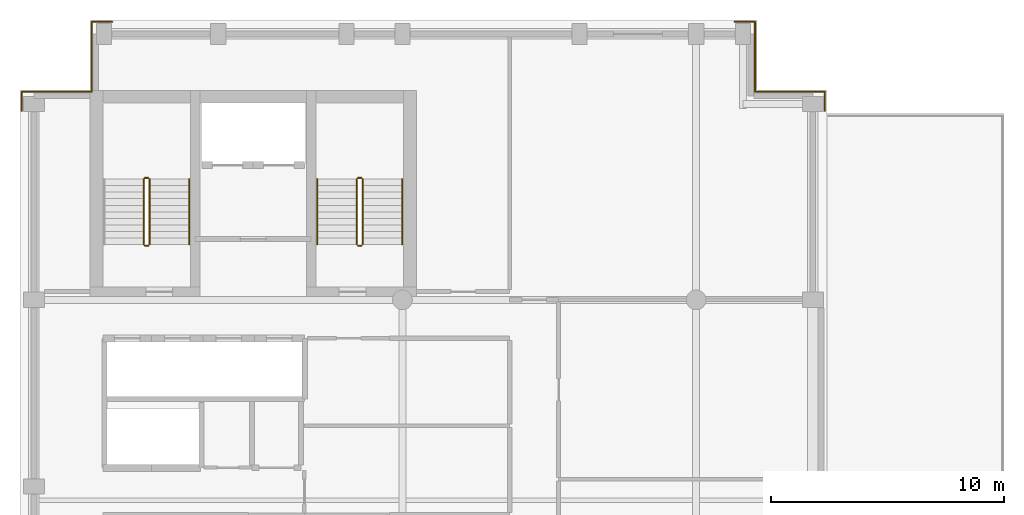
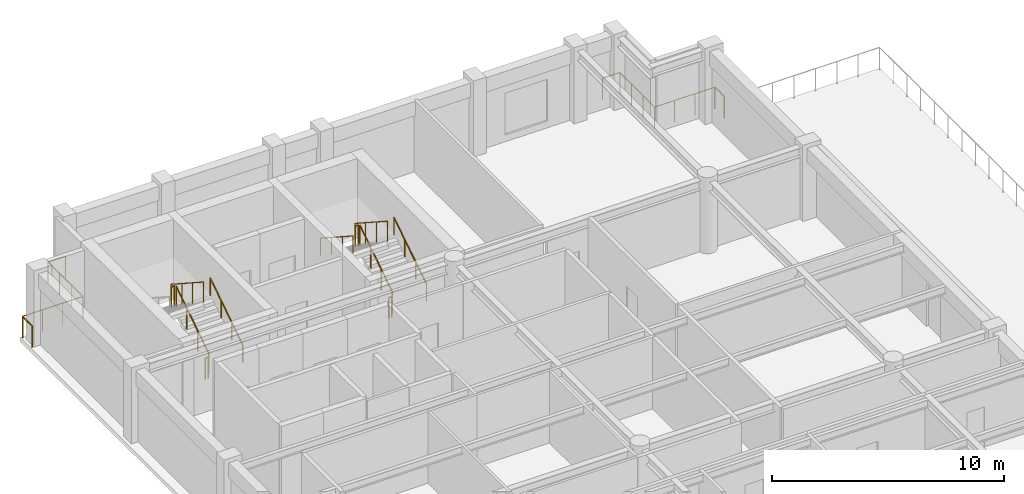
# One storey, part 8 of 9: 19 railings.
"""IFC4 building model written with IfcOpenShell, lengths in metres."""

from ifc_helpers import new_model, si_unit, direction, frame, origin, origin_2d, place, context, subcontext, project, spatial, circle, extrude, material, type_object, element, save


model = new_model("IFC4")

# Units and contexts
model_context = context("Model", 3, precision=1e-05, world=origin(), true_north=direction((0.0, 1.0)))
body_context = subcontext(model_context, "Body", "Model", "MODEL_VIEW")
ifc_project = project(units=[si_unit("LENGTHUNIT", "METRE"), si_unit("AREAUNIT", "SQUARE_METRE"), si_unit("VOLUMEUNIT", "CUBIC_METRE"), si_unit("PLANEANGLEUNIT", "RADIAN"), si_unit("MASSUNIT", "GRAM", prefix="KILO")], contexts=[model_context])

# Site, building, storey
site_placement = place(None, origin())
site = spatial("IfcSite", under=ifc_project, at=site_placement, CompositionType="ELEMENT")
building_placement = place(site_placement, origin())
building = spatial("IfcBuilding", under=site, at=building_placement, Name="Sulina Concourse Tower", CompositionType="ELEMENT")
storey_placement = place(building_placement, frame((0.0, 0.0, 305.0)))
storey = spatial("IfcBuildingStorey", under=building, at=storey_placement, Name="L74", CompositionType="ELEMENT", Elevation=305.0)

# Railings
ifc_material_1 = material(Name="Galvanised steel railing", Category="steel")
railing_type_1 = type_object("IfcRailingType", Name="Core Stair Steel Guardrail 1150mm", PredefinedType="GUARDRAIL", material=ifc_material_1)
railing_1_placement = place(storey_placement, frame((0.080078125, 42.10009765625, 0.0)))
element("IfcRailing", 1, at=railing_1_placement, inside=storey, type_object=railing_type_1, Name="L74 perimeter edge safety guardrail NW1", PredefinedType="GUARDRAIL", context=body_context, shape_type="SweptSolid", body=[
    extrude(circle(Radius=0.02392578125, at=origin_2d()), frame((0.0, 0.0, 1.1259765625), z_axis=(0.0, 1.0, 0.0), x_axis=(-1.0, 0.0, 0.0)), (0.0, 0.0, 1.0), 0.81982421875),
    extrude(circle(Radius=0.02099609375, at=origin_2d()), origin(), (0.0, 0.0, 1.0), 1.101806640625),
    extrude(circle(Radius=0.02099609375, at=origin_2d()), frame((0.0, 0.81982421875, 0.0)), (0.0, 0.0, 1.0), 1.101806640625),
])
railing_2_placement = place(storey_placement, frame((0.080078125, 42.919921875, 0.0)))
element("IfcRailing", 2, at=railing_2_placement, inside=storey, type_object=railing_type_1, Name="L74 perimeter edge safety guardrail NW2", PredefinedType="GUARDRAIL", context=body_context, shape_type="SweptSolid", body=[
    extrude(circle(Radius=0.02392578125, at=origin_2d()), frame((0.0, 0.0, 1.1259765625), z_axis=(1.0, 0.0, 0.0), x_axis=(0.0, 1.0, 0.0)), (0.0, 0.0, 1.0), 3.0),
    extrude(circle(Radius=0.02099609375, at=origin_2d()), origin(), (0.0, 0.0, 1.0), 1.101806640625),
    extrude(circle(Radius=0.02099609375, at=origin_2d()), frame((1.0, 0.0, 0.0)), (0.0, 0.0, 1.0), 1.101806640625),
    extrude(circle(Radius=0.02099609375, at=origin_2d()), frame((2.0, 0.0, 0.0)), (0.0, 0.0, 1.0), 1.101806640625),
    extrude(circle(Radius=0.02099609375, at=origin_2d()), frame((3.0, 0.0, 0.0)), (0.0, 0.0, 1.0), 1.101806640625),
])
railing_3_placement = place(storey_placement, frame((3.080078125, 42.919921875, 0.0)))
element("IfcRailing", 3, at=railing_3_placement, inside=storey, type_object=railing_type_1, Name="L74 perimeter edge safety guardrail NW3", PredefinedType="GUARDRAIL", context=body_context, shape_type="SweptSolid", body=[
    extrude(circle(Radius=0.02392578125, at=origin_2d()), frame((0.0, 0.0, 1.1259765625), z_axis=(0.0, 1.0, 0.0), x_axis=(-1.0, 0.0, 0.0)), (0.0, 0.0, 1.0), 3.0),
    extrude(circle(Radius=0.02099609375, at=origin_2d()), origin(), (0.0, 0.0, 1.0), 1.101806640625),
    extrude(circle(Radius=0.02099609375, at=origin_2d()), frame((0.0, 1.0, 0.0)), (0.0, 0.0, 1.0), 1.101806640625),
    extrude(circle(Radius=0.02099609375, at=origin_2d()), frame((0.0, 2.0, 0.0)), (0.0, 0.0, 1.0), 1.101806640625),
    extrude(circle(Radius=0.02099609375, at=origin_2d()), frame((0.0, 3.0, 0.0)), (0.0, 0.0, 1.0), 1.101806640625),
])
railing_4_placement = place(storey_placement, frame((3.080078125, 45.919921875, 0.0)))
element("IfcRailing", 4, at=railing_4_placement, inside=storey, type_object=railing_type_1, Name="L74 perimeter edge safety guardrail NW4", PredefinedType="GUARDRAIL", context=body_context, shape_type="SweptSolid", body=[
    extrude(circle(Radius=0.02392578125, at=origin_2d()), frame((0.0, 0.0, 1.1259765625), z_axis=(1.0, 0.0, 0.0), x_axis=(0.0, 1.0, 0.0)), (0.0, 0.0, 1.0), 0.869873046875),
    extrude(circle(Radius=0.02099609375, at=origin_2d()), origin(), (0.0, 0.0, 1.0), 1.101806640625),
    extrude(circle(Radius=0.02099609375, at=origin_2d()), frame((0.869873046875, 0.0, 0.0)), (0.0, 0.0, 1.0), 1.101806640625),
])
railing_5_placement = place(storey_placement, frame((30.64990234375, 45.919921875, 0.0)))
element("IfcRailing", 5, at=railing_5_placement, inside=storey, type_object=railing_type_1, Name="L74 perimeter edge safety guardrail NE1", PredefinedType="GUARDRAIL", context=body_context, shape_type="SweptSolid", body=[
    extrude(circle(Radius=0.02392578125, at=origin_2d()), frame((0.0, 0.0, 1.1259765625), z_axis=(1.0, 0.0, 0.0), x_axis=(0.0, 1.0, 0.0)), (0.0, 0.0, 1.0), 0.8701171875),
    extrude(circle(Radius=0.02099609375, at=origin_2d()), origin(), (0.0, 0.0, 1.0), 1.101806640625),
    extrude(circle(Radius=0.02099609375, at=origin_2d()), frame((0.8701171875, 0.0, 0.0)), (0.0, 0.0, 1.0), 1.101806640625),
])
railing_6_placement = place(storey_placement, frame((31.52001953125, 45.919921875, 0.0)))
element("IfcRailing", 6, at=railing_6_placement, inside=storey, type_object=railing_type_1, Name="L74 perimeter edge safety guardrail NE2", PredefinedType="GUARDRAIL", context=body_context, shape_type="SweptSolid", body=[
    extrude(circle(Radius=0.02392578125, at=origin_2d()), frame((0.0, 0.0, 1.1259765625), z_axis=(0.0, -1.0, 0.0), x_axis=(1.0, 0.0, 0.0)), (0.0, 0.0, 1.0), 3.0),
    extrude(circle(Radius=0.02099609375, at=origin_2d()), origin(), (0.0, 0.0, 1.0), 1.101806640625),
    extrude(circle(Radius=0.02099609375, at=origin_2d()), frame((0.0, -1.0, 0.0)), (0.0, 0.0, 1.0), 1.101806640625),
    extrude(circle(Radius=0.02099609375, at=origin_2d()), frame((0.0, -2.0, 0.0)), (0.0, 0.0, 1.0), 1.101806640625),
    extrude(circle(Radius=0.02099609375, at=origin_2d()), frame((0.0, -3.0, 0.0)), (0.0, 0.0, 1.0), 1.101806640625),
])
railing_7_placement = place(storey_placement, frame((31.52001953125, 42.919921875, 0.0)))
element("IfcRailing", 7, at=railing_7_placement, inside=storey, type_object=railing_type_1, Name="L74 perimeter edge safety guardrail NE3", PredefinedType="GUARDRAIL", context=body_context, shape_type="SweptSolid", body=[
    extrude(circle(Radius=0.02392578125, at=origin_2d()), frame((0.0, 0.0, 1.1259765625), z_axis=(1.0, 0.0, 0.0), x_axis=(0.0, 1.0, 0.0)), (0.0, 0.0, 1.0), 3.0),
    extrude(circle(Radius=0.02099609375, at=origin_2d()), origin(), (0.0, 0.0, 1.0), 1.101806640625),
    extrude(circle(Radius=0.02099609375, at=origin_2d()), frame((1.0, 0.0, 0.0)), (0.0, 0.0, 1.0), 1.101806640625),
    extrude(circle(Radius=0.02099609375, at=origin_2d()), frame((2.0, 0.0, 0.0)), (0.0, 0.0, 1.0), 1.101806640625),
    extrude(circle(Radius=0.02099609375, at=origin_2d()), frame((3.0, 0.0, 0.0)), (0.0, 0.0, 1.0), 1.101806640625),
])
railing_8_placement = place(storey_placement, frame((34.52001953125, 42.919921875, 0.0)))
element("IfcRailing", 8, at=railing_8_placement, inside=storey, type_object=railing_type_1, Name="L74 perimeter edge safety guardrail NE4", PredefinedType="GUARDRAIL", context=body_context, shape_type="SweptSolid", body=[
    extrude(circle(Radius=0.02392578125, at=origin_2d()), frame((0.0, 0.0, 1.1259765625), z_axis=(0.0, -1.0, 0.0), x_axis=(1.0, 0.0, 0.0)), (0.0, 0.0, 1.0), 0.81982421875),
    extrude(circle(Radius=0.02099609375, at=origin_2d()), origin(), (0.0, 0.0, 1.0), 1.101806640625),
    extrude(circle(Radius=0.02099609375, at=origin_2d()), frame((0.0, -0.81982421875, 0.0)), (0.0, 0.0, 1.0), 1.101806640625),
])
railing_9_placement = place(storey_placement, frame((5.554931640625, 36.375, 0.181884765625)))
element("IfcRailing", 9, at=railing_9_placement, inside=storey, type_object=railing_type_1, Name="L74 ST-1 stair guard 1", PredefinedType="GUARDRAIL", context=body_context, shape_type="SweptSolid", body=[
    extrude(circle(Radius=0.02392578125, at=origin_2d()), frame((0.0, 0.0, 1.076171875), z_axis=(0.0, 0.838705829183, 0.544584733623), x_axis=(-1.0, 0.0, 0.0)), (0.0, 0.0, 1.0), 3.338623046875),
    extrude(circle(Radius=0.02099609375, at=origin_2d()), origin(), (0.0, 0.0, 1.0), 1.052001953125),
    extrude(circle(Radius=0.02099609375, at=origin_2d()), frame((0.0, 0.933349609375, 0.60595703125)), (0.0, 0.0, 1.0), 1.052001953125),
    extrude(circle(Radius=0.02099609375, at=origin_2d()), frame((0.0, 1.86669921875, 1.212158203125)), (0.0, 0.0, 1.0), 1.052001953125),
    extrude(circle(Radius=0.02099609375, at=origin_2d()), frame((0.0, 2.800048828125, 1.818115234375)), (0.0, 0.0, 1.0), 1.052001953125),
])
railing_10_placement = place(storey_placement, frame((5.5048828125, 39.22509765625, 2.0)))
element("IfcRailing", 10, at=railing_10_placement, inside=storey, type_object=railing_type_1, Name="L74 ST-1 stair guard 2", PredefinedType="GUARDRAIL", context=body_context, shape_type="SweptSolid", body=[
    extrude(circle(Radius=0.02392578125, at=origin_2d()), frame((0.0, 0.0, 1.076171875), z_axis=(-1.0, 0.0, 0.0), x_axis=(0.0, -1.0, 0.0)), (0.0, 0.0, 1.0), 0.14990234375),
    extrude(circle(Radius=0.02099609375, at=origin_2d()), origin(), (0.0, 0.0, 1.0), 1.052001953125),
    extrude(circle(Radius=0.02099609375, at=origin_2d()), frame((-0.14990234375, 0.0, 0.0)), (0.0, 0.0, 1.0), 1.052001953125),
])
railing_11_placement = place(storey_placement, frame((5.304931640625, 39.175048828125, 2.181884765625)))
element("IfcRailing", 11, at=railing_11_placement, inside=storey, type_object=railing_type_1, Name="L74 ST-1 stair guard 3", PredefinedType="GUARDRAIL", context=body_context, shape_type="SweptSolid", body=[
    extrude(circle(Radius=0.02392578125, at=origin_2d()), frame((0.0, 0.0, 1.076171875), z_axis=(0.0, -0.838705829183, 0.544584733623), x_axis=(1.0, 0.0, 0.0)), (0.0, 0.0, 1.0), 3.338623046875),
    extrude(circle(Radius=0.02099609375, at=origin_2d()), origin(), (0.0, 0.0, 1.0), 1.052001953125),
    extrude(circle(Radius=0.02099609375, at=origin_2d()), frame((0.0, -0.933349609375, 0.60595703125)), (0.0, 0.0, 1.0), 1.052001953125),
    extrude(circle(Radius=0.02099609375, at=origin_2d()), frame((0.0, -1.86669921875, 1.212158203125)), (0.0, 0.0, 1.0), 1.052001953125),
    extrude(circle(Radius=0.02099609375, at=origin_2d()), frame((0.0, -2.800048828125, 1.818115234375)), (0.0, 0.0, 1.0), 1.052001953125),
])
railing_12_placement = place(storey_placement, frame((5.5048828125, 36.324951171875, 0.0)))
element("IfcRailing", 12, at=railing_12_placement, inside=storey, type_object=railing_type_1, Name="L74 ST-1 stair guard 4", PredefinedType="GUARDRAIL", context=body_context, shape_type="SweptSolid", body=[
    extrude(circle(Radius=0.02392578125, at=origin_2d()), frame((0.0, 0.0, 1.076171875), z_axis=(-1.0, 0.0, 0.0), x_axis=(0.0, -1.0, 0.0)), (0.0, 0.0, 1.0), 0.14990234375),
    extrude(circle(Radius=0.02099609375, at=origin_2d()), origin(), (0.0, 0.0, 1.0), 1.052001953125),
    extrude(circle(Radius=0.02099609375, at=origin_2d()), frame((-0.14990234375, 0.0, 0.0)), (0.0, 0.0, 1.0), 1.052001953125),
])
railing_13_placement = place(storey_placement, frame((14.695068359375, 36.375, 0.181884765625)))
element("IfcRailing", 13, at=railing_13_placement, inside=storey, type_object=railing_type_1, Name="L74 ST-2 stair guard 1", PredefinedType="GUARDRAIL", context=body_context, shape_type="SweptSolid", body=[
    extrude(circle(Radius=0.02392578125, at=origin_2d()), frame((0.0, 0.0, 1.076171875), z_axis=(0.0, 0.838705829183, 0.544584733623), x_axis=(-1.0, 0.0, 0.0)), (0.0, 0.0, 1.0), 3.338623046875),
    extrude(circle(Radius=0.02099609375, at=origin_2d()), origin(), (0.0, 0.0, 1.0), 1.052001953125),
    extrude(circle(Radius=0.02099609375, at=origin_2d()), frame((0.0, 0.933349609375, 0.60595703125)), (0.0, 0.0, 1.0), 1.052001953125),
    extrude(circle(Radius=0.02099609375, at=origin_2d()), frame((0.0, 1.86669921875, 1.212158203125)), (0.0, 0.0, 1.0), 1.052001953125),
    extrude(circle(Radius=0.02099609375, at=origin_2d()), frame((0.0, 2.800048828125, 1.818115234375)), (0.0, 0.0, 1.0), 1.052001953125),
])
railing_14_placement = place(storey_placement, frame((14.64501953125, 39.22509765625, 2.0)))
element("IfcRailing", 14, at=railing_14_placement, inside=storey, type_object=railing_type_1, Name="L74 ST-2 stair guard 2", PredefinedType="GUARDRAIL", context=body_context, shape_type="SweptSolid", body=[
    extrude(circle(Radius=0.02392578125, at=origin_2d()), frame((0.0, 0.0, 1.076171875), z_axis=(-1.0, 0.0, 0.0), x_axis=(0.0, -1.0, 0.0)), (0.0, 0.0, 1.0), 0.14990234375),
    extrude(circle(Radius=0.02099609375, at=origin_2d()), origin(), (0.0, 0.0, 1.0), 1.052001953125),
    extrude(circle(Radius=0.02099609375, at=origin_2d()), frame((-0.14990234375, 0.0, 0.0)), (0.0, 0.0, 1.0), 1.052001953125),
])
railing_15_placement = place(storey_placement, frame((14.445068359375, 39.175048828125, 2.181884765625)))
element("IfcRailing", 15, at=railing_15_placement, inside=storey, type_object=railing_type_1, Name="L74 ST-2 stair guard 3", PredefinedType="GUARDRAIL", context=body_context, shape_type="SweptSolid", body=[
    extrude(circle(Radius=0.02392578125, at=origin_2d()), frame((0.0, 0.0, 1.076171875), z_axis=(0.0, -0.838705829183, 0.544584733623), x_axis=(1.0, 0.0, 0.0)), (0.0, 0.0, 1.0), 3.338623046875),
    extrude(circle(Radius=0.02099609375, at=origin_2d()), origin(), (0.0, 0.0, 1.0), 1.052001953125),
    extrude(circle(Radius=0.02099609375, at=origin_2d()), frame((0.0, -0.933349609375, 0.60595703125)), (0.0, 0.0, 1.0), 1.052001953125),
    extrude(circle(Radius=0.02099609375, at=origin_2d()), frame((0.0, -1.86669921875, 1.212158203125)), (0.0, 0.0, 1.0), 1.052001953125),
    extrude(circle(Radius=0.02099609375, at=origin_2d()), frame((0.0, -2.800048828125, 1.818115234375)), (0.0, 0.0, 1.0), 1.052001953125),
])
railing_16_placement = place(storey_placement, frame((14.64501953125, 36.324951171875, 0.0)))
element("IfcRailing", 16, at=railing_16_placement, inside=storey, type_object=railing_type_1, Name="L74 ST-2 stair guard 4", PredefinedType="GUARDRAIL", context=body_context, shape_type="SweptSolid", body=[
    extrude(circle(Radius=0.02392578125, at=origin_2d()), frame((0.0, 0.0, 1.076171875), z_axis=(-1.0, 0.0, 0.0), x_axis=(0.0, -1.0, 0.0)), (0.0, 0.0, 1.0), 0.14990234375),
    extrude(circle(Radius=0.02099609375, at=origin_2d()), origin(), (0.0, 0.0, 1.0), 1.052001953125),
    extrude(circle(Radius=0.02099609375, at=origin_2d()), frame((-0.14990234375, 0.0, 0.0)), (0.0, 0.0, 1.0), 1.052001953125),
])
ifc_material_2 = material(Name="Galvanised steel railing", Category="steel")
railing_type_2 = type_object("IfcRailingType", Name="Stair Wall Steel Handrail 920mm", PredefinedType="HANDRAIL", material=ifc_material_2)
for number, where, name in (
    (17, (7.2548828125, 36.375, 0.181884765625), "L74 ST-1 stair handrail 1"),
    (18, (16.39501953125, 36.375, 0.181884765625), "L74 ST-2 stair handrail 1"),
):
    element("IfcRailing", number, at=place(storey_placement, frame(where)), inside=storey, type_object=railing_type_2, Name=name, PredefinedType="HANDRAIL", context=body_context, shape_type="SweptSolid", body=[
        extrude(circle(Radius=0.02392578125, at=origin_2d()), frame((0.0, 0.0, 0.89599609375), z_axis=(0.0, 0.838705829183, 0.544584733623), x_axis=(-1.0, 0.0, 0.0)), (0.0, 0.0, 1.0), 3.338623046875),
        extrude(circle(Radius=0.02099609375, at=origin_2d()), origin(), (0.0, 0.0, 1.0), 0.871826171875),
        extrude(circle(Radius=0.02099609375, at=origin_2d()), frame((0.0, 0.933349609375, 0.60595703125)), (0.0, 0.0, 1.0), 0.871826171875),
        extrude(circle(Radius=0.02099609375, at=origin_2d()), frame((0.0, 1.86669921875, 1.212158203125)), (0.0, 0.0, 1.0), 0.871826171875),
        extrude(circle(Radius=0.02099609375, at=origin_2d()), frame((0.0, 2.800048828125, 1.818115234375)), (0.0, 0.0, 1.0), 0.871826171875),
    ])
railing_17_placement = place(storey_placement, frame((12.7451171875, 39.175048828125, 2.181884765625)))
element("IfcRailing", 19, at=railing_17_placement, inside=storey, type_object=railing_type_2, Name="L74 ST-2 stair handrail 2", PredefinedType="HANDRAIL", context=body_context, shape_type="SweptSolid", body=[
    extrude(circle(Radius=0.02392578125, at=origin_2d()), frame((0.0, 0.0, 0.89599609375), z_axis=(0.0, -0.838705829183, 0.544584733623), x_axis=(1.0, 0.0, 0.0)), (0.0, 0.0, 1.0), 3.338623046875),
    extrude(circle(Radius=0.02099609375, at=origin_2d()), origin(), (0.0, 0.0, 1.0), 0.871826171875),
    extrude(circle(Radius=0.02099609375, at=origin_2d()), frame((0.0, -0.933349609375, 0.60595703125)), (0.0, 0.0, 1.0), 0.871826171875),
    extrude(circle(Radius=0.02099609375, at=origin_2d()), frame((0.0, -1.86669921875, 1.212158203125)), (0.0, 0.0, 1.0), 0.871826171875),
    extrude(circle(Radius=0.02099609375, at=origin_2d()), frame((0.0, -2.800048828125, 1.818115234375)), (0.0, 0.0, 1.0), 0.871826171875),
])

save(model, "model.ifc")
